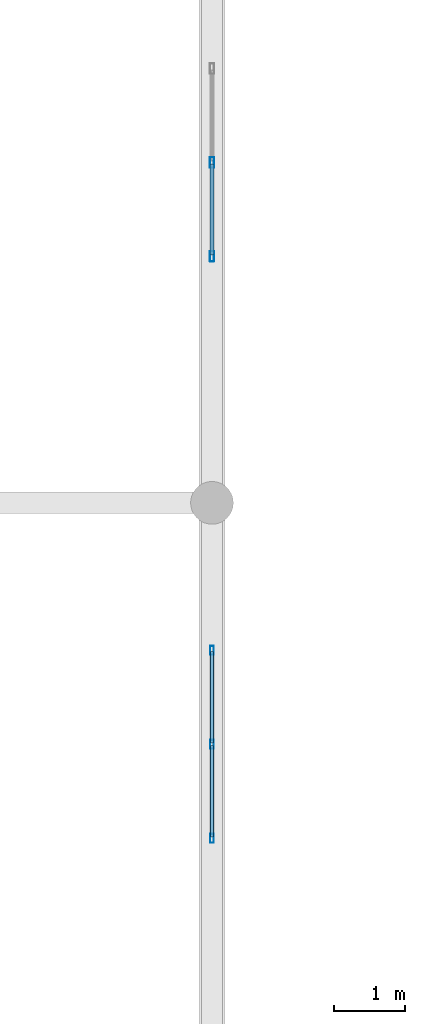
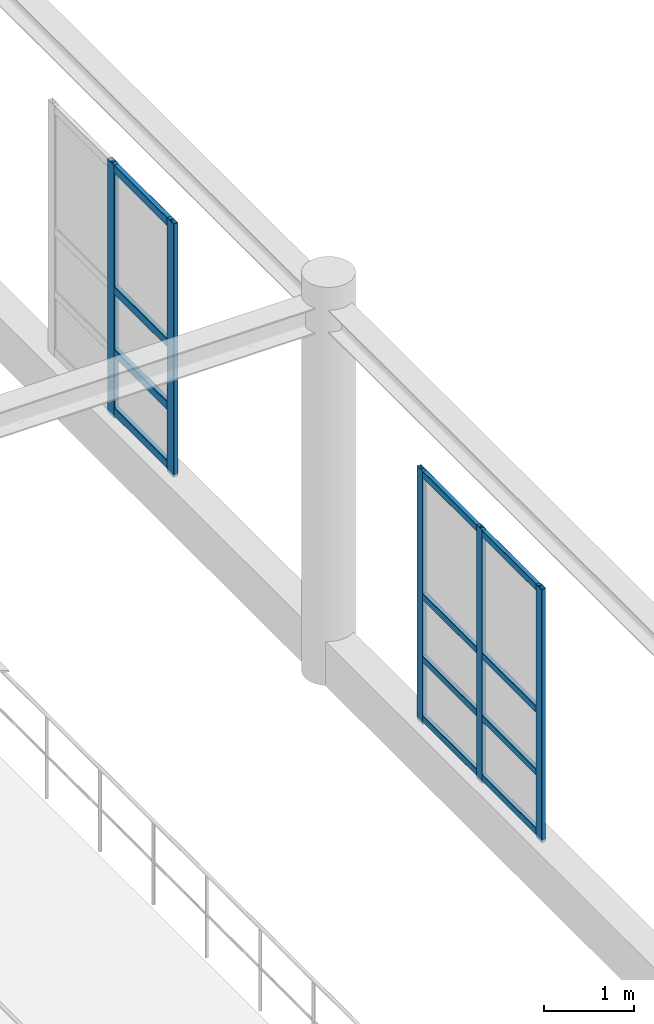
# One storey, part 67 of 197: 17 members, 2 elements without a shape of their own.
"""IFC4 building model written with IfcOpenShell, lengths in metres."""

import ifcopenshell
import ifcopenshell.guid

model = None  # the IFC model being written
_history = None  # IfcOwnerHistory: only IFC2X3 demands one
_inside = {}  # id of a spatial element -> (the spatial element, [elements in it])
_under = {}  # id of a project, library or spatial element -> (it, [spatial elements below it])
_declared = {}  # id of a project -> (the project, [libraries it declares])
_typed = {}  # id of a type object -> (the type object, [elements of that type])
_made_of = {}  # id of a material, layer set ... -> (it, [elements and type objects made of it])


def new_model(schema):
    """Start an empty IFC model of exactly this schema.

    Asked for "IFC4X3", IfcOpenShell would pick the latest addendum, in which some entities
    have other attributes; the version numbers below select the first issue.
    IFC2X3 requires an IfcOwnerHistory on every rooted entity: one is made here for all.
    """
    global model, _history
    if schema == "IFC4X3":
        model = ifcopenshell.file(schema_version=(4, 3, 0, 0))
    else:
        model = ifcopenshell.file(schema=schema)
    _inside.clear()
    _under.clear()
    _declared.clear()
    _typed.clear()
    _made_of.clear()
    _history = None
    if model.schema == "IFC2X3":
        org = make("IfcOrganization", Name="unknown")
        user = make(
            "IfcPersonAndOrganization",
            ThePerson=make("IfcPerson", FamilyName="unknown"),
            TheOrganization=org,
        )
        app = make(
            "IfcApplication",
            ApplicationDeveloper=org,
            Version="unknown",
            ApplicationFullName="unknown",
            ApplicationIdentifier="unknown",
        )
        _history = make(
            "IfcOwnerHistory",
            OwningUser=user,
            OwningApplication=app,
            ChangeAction="ADDED",
            CreationDate=0,
        )
    return model


def make(cls, **values):
    """One entity of the class cls with the attributes given. An attribute that is None is left unset."""
    return model.create_entity(
        cls, **{name: value for name, value in values.items() if value is not None}
    )


def rooted(cls, **values):
    """An entity with a GlobalId (a new one), such as an element, a storey or a relation."""
    return make(cls, GlobalId=ifcopenshell.guid.new(), OwnerHistory=_history, **values)


def si_unit(unit_type, name, prefix=None):
    """IfcSIUnit, for example si_unit("LENGTHUNIT", "METRE", prefix="MILLI")."""
    return make("IfcSIUnit", UnitType=unit_type, Prefix=prefix, Name=name)


def derived_unit(unit_type, elements):
    """IfcDerivedUnit: a product of units, each with its exponent."""
    return make(
        "IfcDerivedUnit",
        Elements=[
            make("IfcDerivedUnitElement", Unit=unit, Exponent=power)
            for unit, power in elements
        ],
        UnitType=unit_type,
    )


def assignment(units):
    """IfcUnitAssignment: the units of a project."""
    return None if units is None else make("IfcUnitAssignment", Units=units)


def point(xyz):
    """IfcCartesianPoint."""
    return None if xyz is None else make("IfcCartesianPoint", Coordinates=xyz)


def direction(xyz):
    """IfcDirection."""
    return None if xyz is None else make("IfcDirection", DirectionRatios=xyz)


def frame(location, z_axis=None, x_axis=None):
    """IfcAxis2Placement3D, a coordinate frame: its origin and axes. An axis left out is left unset."""
    return make(
        "IfcAxis2Placement3D",
        Location=point(location),
        Axis=direction(z_axis),
        RefDirection=direction(x_axis),
    )


def frame_2d(location, x_axis=None):
    """IfcAxis2Placement2D, a coordinate frame in the plane: its origin and x axis."""
    return make(
        "IfcAxis2Placement2D", Location=point(location), RefDirection=direction(x_axis)
    )


def origin():
    """The frame at (0, 0, 0) with its axes left unset."""
    return frame((0.0, 0.0, 0.0))


def origin_2d():
    """The frame at (0, 0) in the plane with its x axis left unset."""
    return frame_2d((0.0, 0.0))


def place(relative_to, where):
    """IfcLocalPlacement: puts the frame where relative to a parent placement (None: the world)."""
    return make(
        "IfcLocalPlacement", PlacementRelTo=relative_to, RelativePlacement=where
    )


def context(
    kind, dimensions, precision=None, world=None, true_north=None, identifier=None
):
    """IfcGeometricRepresentationContext, for example the 3D "Model" context."""
    return make(
        "IfcGeometricRepresentationContext",
        ContextIdentifier=identifier,
        ContextType=kind,
        CoordinateSpaceDimension=dimensions,
        Precision=precision,
        WorldCoordinateSystem=world,
        TrueNorth=true_north,
    )


def subcontext(parent, identifier, kind, view, scale=None):
    """IfcGeometricRepresentationSubContext, for example "Body" below "Model"."""
    return make(
        "IfcGeometricRepresentationSubContext",
        ContextIdentifier=identifier,
        ContextType=kind,
        ParentContext=parent,
        TargetScale=scale,
        TargetView=view,
    )


def project(units=None, contexts=None):
    """IfcProject with its units and contexts."""
    return rooted(
        "IfcProject",
        Name="project",
        RepresentationContexts=contexts,
        UnitsInContext=assignment(units),
    )


def spatial(cls, under=None, at=None, **own):
    """A site, building, storey or space (cls), placed at a placement, below another one or the project."""
    s = rooted(cls, ObjectPlacement=at, **own)
    if under is not None:
        _under.setdefault(under.id(), (under, []))[1].append(s)
    return s


def profile(cls, at=None, kind="AREA", **sizes):
    """A parametric profile (cls). Its sizes go by their IFC names, for example OverallWidth=200.0."""
    return make(cls, ProfileType=kind, Position=at, **sizes)


def hollow_rectangle(**sizes):
    """IfcRectangleHollowProfileDef."""
    return profile("IfcRectangleHollowProfileDef", **sizes)


def extrude(swept, where, along, depth):
    """IfcExtrudedAreaSolid: the profile swept, set in the frame where, extruded along a direction by depth."""
    return make(
        "IfcExtrudedAreaSolid",
        SweptArea=swept,
        Position=where,
        ExtrudedDirection=direction(along),
        Depth=depth,
    )


def shape(context_of_items, identifier, shape_type, items):
    """IfcShapeRepresentation: the items that make up one representation, for example the "Body"."""
    return make(
        "IfcShapeRepresentation",
        ContextOfItems=context_of_items,
        RepresentationIdentifier=identifier,
        RepresentationType=shape_type,
        Items=items,
    )


def material(Name=None, Category=None):
    """IfcMaterial."""
    return make("IfcMaterial", Name=Name, Category=Category)


def layer(
    of_material, thickness, ventilated=None, Name=None, Category=None, Priority=None
):
    """IfcMaterialLayer: one layer of a wall or slab, of a material (None: an air gap)."""
    return make(
        "IfcMaterialLayer",
        Material=of_material,
        LayerThickness=thickness,
        IsVentilated=ventilated,
        Name=Name,
        Category=Category,
        Priority=Priority,
    )


def layer_set(layers, Name=None):
    """IfcMaterialLayerSet."""
    return make("IfcMaterialLayerSet", MaterialLayers=layers, LayerSetName=Name)


def material_profile(
    of_material, cross_section, Name=None, Category=None, Priority=None
):
    """IfcMaterialProfile: a cross section and its material."""
    return make(
        "IfcMaterialProfile",
        Name=Name,
        Material=of_material,
        Profile=cross_section,
        Priority=Priority,
        Category=Category,
    )


def profile_set(profiles, Name=None, composite=None):
    """IfcMaterialProfileSet."""
    return make(
        "IfcMaterialProfileSet",
        Name=Name,
        MaterialProfiles=profiles,
        CompositeProfile=composite,
    )


def made_of(thing, what):
    """Note that an element or type object is made of a material, layer set ...; save() writes the relation."""
    if what is not None:
        _made_of.setdefault(what.id(), (what, []))[1].append(thing)
    return thing


def type_object(cls, material=None, **own):
    """A type object (cls), such as IfcWallType, which elements share."""
    return made_of(rooted(cls, **own), material)


def element(
    cls,
    number,
    at=None,
    inside=None,
    cuts=None,
    type_object=None,
    material=None,
    context=None,
    identifier="Body",
    shape_type=None,
    held_by="IfcProductDefinitionShape",
    body=None,
    shapes=None,
    **own,
):
    """One element of the class cls, such as IfcWall. Its Tag is "e" and its number.

    at: its placement. inside: the storey or other place that contains it. cuts: it is an
    opening in that element (IfcRelVoidsElement). A single representation is given by context,
    identifier, shape_type and body (its items); several are given by shapes. held_by: the class
    of the entity that holds the representations. save() writes the other relations.
    """
    e = rooted(cls, Tag="e%d" % number, ObjectPlacement=at, **own)
    if body is not None:
        shapes = [shape(context, identifier, shape_type, body)]
    if shapes is not None:
        e.Representation = make(held_by, Representations=shapes)
    if inside is not None:
        _inside.setdefault(inside.id(), (inside, []))[1].append(e)
    if cuts is not None:
        rooted(
            "IfcRelVoidsElement", RelatingBuildingElement=cuts, RelatedOpeningElement=e
        )
    if type_object is not None:
        _typed.setdefault(type_object.id(), (type_object, []))[1].append(e)
    return made_of(e, material)


def aggregate(whole, parts):
    """IfcRelAggregates: a whole, such as a stair, and the parts it consists of."""
    return rooted("IfcRelAggregates", RelatingObject=whole, RelatedObjects=parts)


def save(model, path):
    """Write the relations noted so far, then the file.

    IfcRelAggregates (storeys below a building ...), IfcRelContainedInSpatialStructure (elements
    in a storey), IfcRelDefinesByType, IfcRelAssociatesMaterial and IfcRelDeclares: one each for
    every whole, place, type object, material and project.
    """
    for whole, parts in _under.values():
        aggregate(whole, parts)
    for where, things in _inside.values():
        rooted(
            "IfcRelContainedInSpatialStructure",
            RelatedElements=things,
            RelatingStructure=where,
        )
    for kind, things in _typed.values():
        rooted("IfcRelDefinesByType", RelatedObjects=things, RelatingType=kind)
    for what, things in _made_of.values():
        rooted("IfcRelAssociatesMaterial", RelatedObjects=things, RelatingMaterial=what)
    for by, libraries in _declared.values():
        rooted("IfcRelDeclares", RelatingContext=by, RelatedDefinitions=libraries)
    model.write(path)


model = new_model("IFC4")

# Units and contexts
model_context = context("Model", 3, precision=1e-05, world=origin(), true_north=direction((0.0, 1.0)))
body_context = subcontext(model_context, "Body", "Model", "MODEL_VIEW")
ifc_project = project(units=[si_unit("LENGTHUNIT", "METRE"), si_unit("AREAUNIT", "SQUARE_METRE"), si_unit("VOLUMEUNIT", "CUBIC_METRE"), si_unit("PLANEANGLEUNIT", "RADIAN"), si_unit("MASSUNIT", "GRAM", prefix="KILO"), derived_unit("THERMALTRANSMITTANCEUNIT", [(si_unit("POWERUNIT", "WATT"), 1), (si_unit("LENGTHUNIT", "METRE"), -2), (si_unit("THERMODYNAMICTEMPERATUREUNIT", "KELVIN"), -1)])], contexts=[model_context])

# Site, building, storey
site_placement = place(None, origin())
site = spatial("IfcSite", under=ifc_project, at=site_placement, CompositionType="ELEMENT")
building_placement = place(site_placement, origin())
building = spatial("IfcBuilding", under=site, at=building_placement, Name="Almenara Railside Exhibition Hall", CompositionType="ELEMENT")
storey_placement = place(building_placement, frame((0.0, 0.0, 5.39990234375)))
storey = spatial("IfcBuildingStorey", under=building, at=storey_placement, Name="L01", CompositionType="ELEMENT", Elevation=5.39990234375)

# Curtain wall, members
ifc_material_1 = material(Name="Bronze-anodised aluminium and low-E double glazing", Category="aluminium")
ifc_layer = layer(ifc_material_1, 0.179931640625, Name="Bronze-anodised aluminium and low-E double glazing")
ifc_layer_set = layer_set([ifc_layer], Name="Bronze-anodised aluminium and low-E double glazing")
curtain_wall_type = type_object("IfcCurtainWallType", Name="Courtyard South Galeria Curtain Wall 2700x3400", PredefinedType="NOTDEFINED", material=ifc_layer_set)
curtain_wall_1_placement = place(storey_placement, origin())
curtain_wall_1 = element("IfcCurtainWall", 1, at=curtain_wall_1_placement, inside=storey, type_object=curtain_wall_type, Name="Curtain wall CW-CY3-158", PredefinedType="NOTDEFINED")
ifc_material_2 = material(Name="Bronze-anodised aluminium", Category="aluminium")
ifc_material_profile_1 = material_profile(ifc_material_2, hollow_rectangle(XDim=0.054931640625, YDim=0.125, WallThickness=0.0029296875, InnerFilletRadius=0.0029296875, OuterFilletRadius=0.006103515625, at=origin_2d()), Name="ALU-MUL 55x125x3")
ifc_profile_set_1 = profile_set([ifc_material_profile_1], Name="Bronze-anodised aluminium")
member_type_1 = type_object("IfcMemberType", Name="Curtain Wall Mullion 55x125x3", PredefinedType="MULLION", material=ifc_profile_set_1)
member_1_placement = place(storey_placement, frame((84.0, 69.927001953125, 0.565185546875), z_axis=(0.0, 0.0, 1.0), x_axis=(1.0, 0.0, 0.0)))
member_1 = element("IfcMember", 2, at=member_1_placement, type_object=member_type_1, Name="CW-CY3-158 mullion 1", PredefinedType="MULLION", context=body_context, shape_type="SweptSolid", body=[
    extrude(hollow_rectangle(XDim=0.054931640625, YDim=0.125, WallThickness=0.0029296875, InnerFilletRadius=0.0029296875, OuterFilletRadius=0.006103515625, at=origin_2d()), origin(), (0.0, 0.0, 1.0), 3.434814453125),
])
member_2_placement = place(storey_placement, frame((84.0, 68.6044921875, 0.565185546875), z_axis=(0.0, 0.0, 1.0), x_axis=(1.0, 0.0, 0.0)))
member_2 = element("IfcMember", 3, at=member_2_placement, type_object=member_type_1, Name="CW-CY3-158 mullion 2", PredefinedType="MULLION", context=body_context, shape_type="SweptSolid", body=[
    extrude(hollow_rectangle(XDim=0.054931640625, YDim=0.125, WallThickness=0.0029296875, InnerFilletRadius=0.0029296875, OuterFilletRadius=0.006103515625, at=origin_2d()), origin(), (0.0, 0.0, 1.0), 3.434814453125),
])
member_3_placement = place(storey_placement, frame((84.0, 67.281982421875, 0.565185546875), z_axis=(0.0, 0.0, 1.0), x_axis=(1.0, 0.0, 0.0)))
member_3 = element("IfcMember", 4, at=member_3_placement, type_object=member_type_1, Name="CW-CY3-158 mullion 3", PredefinedType="MULLION", context=body_context, shape_type="SweptSolid", body=[
    extrude(hollow_rectangle(XDim=0.054931640625, YDim=0.125, WallThickness=0.0029296875, InnerFilletRadius=0.0029296875, OuterFilletRadius=0.006103515625, at=origin_2d()), origin(), (0.0, 0.0, 1.0), 3.434814453125),
])

curtain_wall_2_placement = place(storey_placement, origin())
curtain_wall_2 = element("IfcCurtainWall", 5, at=curtain_wall_2_placement, inside=storey, type_object=curtain_wall_type, Name="Curtain wall CW-CY3-157", PredefinedType="NOTDEFINED")
ifc_material_profile_2 = material_profile(ifc_material_2, hollow_rectangle(XDim=0.06005859375, YDim=0.14990234375, WallThickness=0.00341796875, InnerFilletRadius=0.00341796875, OuterFilletRadius=0.007080078125, at=origin_2d()), Name="ALU-MUL 60x150x3.5")
ifc_profile_set_2 = profile_set([ifc_material_profile_2], Name="Bronze-anodised aluminium")
member_type_2 = type_object("IfcMemberType", Name="Curtain Wall Mullion 60x150x3.5", PredefinedType="MULLION", material=ifc_profile_set_2)
member_4_placement = place(storey_placement, frame((84.0, 76.786376953125, 0.565185546875), z_axis=(0.0, 0.0, 1.0), x_axis=(1.0, 0.0, 0.0)))
member_4 = element("IfcMember", 6, at=member_4_placement, type_object=member_type_2, Name="CW-CY3-157 mullion 2", PredefinedType="MULLION", context=body_context, shape_type="SweptSolid", body=[
    extrude(hollow_rectangle(XDim=0.06005859375, YDim=0.14990234375, WallThickness=0.00341796875, InnerFilletRadius=0.00341796875, OuterFilletRadius=0.007080078125, at=origin_2d()), origin(), (0.0, 0.0, 1.0), 3.434814453125),
])
member_5_placement = place(storey_placement, frame((84.0, 75.46630859375, 0.565185546875), z_axis=(0.0, 0.0, 1.0), x_axis=(1.0, 0.0, 0.0)))
member_5 = element("IfcMember", 7, at=member_5_placement, type_object=member_type_2, Name="CW-CY3-157 mullion 3", PredefinedType="MULLION", context=body_context, shape_type="SweptSolid", body=[
    extrude(hollow_rectangle(XDim=0.06005859375, YDim=0.14990234375, WallThickness=0.00341796875, InnerFilletRadius=0.00341796875, OuterFilletRadius=0.007080078125, at=origin_2d()), origin(), (0.0, 0.0, 1.0), 3.434814453125),
])

# Member
ifc_material_profile_3 = material_profile(ifc_material_2, hollow_rectangle(XDim=0.054931640625, YDim=0.090087890625, WallThickness=0.0029296875, InnerFilletRadius=0.0029296875, OuterFilletRadius=0.006103515625, at=origin_2d()), Name="ALU-TRN 55x90x3")
ifc_profile_set_3 = profile_set([ifc_material_profile_3], Name="Bronze-anodised aluminium")
member_type_3 = type_object("IfcMemberType", Name="Curtain Wall Transom 55x90x3", PredefinedType="USERDEFINED", material=ifc_profile_set_3)
member_6_placement = place(storey_placement, frame((84.0, 69.907470703125, 0.64501953125), z_axis=(0.0, -1.0, 0.0), x_axis=(1.0, 0.0, 0.0)))
member_6 = element("IfcMember", 8, at=member_6_placement, type_object=member_type_3, Name="CW-CY3-158 transom 1.1", ObjectType="TRANSOM", PredefinedType="USERDEFINED", context=body_context, shape_type="SweptSolid", body=[
    extrude(hollow_rectangle(XDim=0.054931640625, YDim=0.090087890625, WallThickness=0.0029296875, InnerFilletRadius=0.0029296875, OuterFilletRadius=0.006103515625, at=origin_2d()), origin(), (0.0, 0.0, 1.0), 1.283447265625),
])

member_7_placement = place(storey_placement, frame((84.0, 69.907470703125, 1.4501953125), z_axis=(0.0, -1.0, 0.0), x_axis=(1.0, 0.0, 0.0)))
member_7 = element("IfcMember", 9, at=member_7_placement, type_object=member_type_3, Name="CW-CY3-158 transom 1.2", ObjectType="TRANSOM", PredefinedType="USERDEFINED", context=body_context, shape_type="SweptSolid", body=[
    extrude(hollow_rectangle(XDim=0.054931640625, YDim=0.090087890625, WallThickness=0.0029296875, InnerFilletRadius=0.0029296875, OuterFilletRadius=0.006103515625, at=origin_2d()), origin(), (0.0, 0.0, 1.0), 1.283447265625),
])

member_8_placement = place(storey_placement, frame((84.0, 69.907470703125, 2.300048828125), z_axis=(0.0, -1.0, 0.0), x_axis=(1.0, 0.0, 0.0)))
member_8 = element("IfcMember", 10, at=member_8_placement, type_object=member_type_3, Name="CW-CY3-158 transom 1.3", ObjectType="TRANSOM", PredefinedType="USERDEFINED", context=body_context, shape_type="SweptSolid", body=[
    extrude(hollow_rectangle(XDim=0.054931640625, YDim=0.090087890625, WallThickness=0.0029296875, InnerFilletRadius=0.0029296875, OuterFilletRadius=0.006103515625, at=origin_2d()), origin(), (0.0, 0.0, 1.0), 1.283447265625),
])

member_9_placement = place(storey_placement, frame((84.0, 69.907470703125, 3.955078125), z_axis=(0.0, -1.0, 0.0), x_axis=(1.0, 0.0, 0.0)))
member_9 = element("IfcMember", 11, at=member_9_placement, type_object=member_type_3, Name="CW-CY3-158 transom 1.4", ObjectType="TRANSOM", PredefinedType="USERDEFINED", context=body_context, shape_type="SweptSolid", body=[
    extrude(hollow_rectangle(XDim=0.054931640625, YDim=0.090087890625, WallThickness=0.0029296875, InnerFilletRadius=0.0029296875, OuterFilletRadius=0.006103515625, at=origin_2d()), origin(), (0.0, 0.0, 1.0), 1.283447265625),
])

member_10_placement = place(storey_placement, frame((84.0, 68.5849609375, 0.64501953125), z_axis=(0.0, -1.0, 0.0), x_axis=(1.0, 0.0, 0.0)))
member_10 = element("IfcMember", 12, at=member_10_placement, type_object=member_type_3, Name="CW-CY3-158 transom 2.1", ObjectType="TRANSOM", PredefinedType="USERDEFINED", context=body_context, shape_type="SweptSolid", body=[
    extrude(hollow_rectangle(XDim=0.054931640625, YDim=0.090087890625, WallThickness=0.0029296875, InnerFilletRadius=0.0029296875, OuterFilletRadius=0.006103515625, at=origin_2d()), origin(), (0.0, 0.0, 1.0), 1.283447265625),
])

member_11_placement = place(storey_placement, frame((84.0, 68.5849609375, 1.4501953125), z_axis=(0.0, -1.0, 0.0), x_axis=(1.0, 0.0, 0.0)))
member_11 = element("IfcMember", 13, at=member_11_placement, type_object=member_type_3, Name="CW-CY3-158 transom 2.2", ObjectType="TRANSOM", PredefinedType="USERDEFINED", context=body_context, shape_type="SweptSolid", body=[
    extrude(hollow_rectangle(XDim=0.054931640625, YDim=0.090087890625, WallThickness=0.0029296875, InnerFilletRadius=0.0029296875, OuterFilletRadius=0.006103515625, at=origin_2d()), origin(), (0.0, 0.0, 1.0), 1.283447265625),
])

member_12_placement = place(storey_placement, frame((84.0, 68.5849609375, 2.300048828125), z_axis=(0.0, -1.0, 0.0), x_axis=(1.0, 0.0, 0.0)))
member_12 = element("IfcMember", 14, at=member_12_placement, type_object=member_type_3, Name="CW-CY3-158 transom 2.3", ObjectType="TRANSOM", PredefinedType="USERDEFINED", context=body_context, shape_type="SweptSolid", body=[
    extrude(hollow_rectangle(XDim=0.054931640625, YDim=0.090087890625, WallThickness=0.0029296875, InnerFilletRadius=0.0029296875, OuterFilletRadius=0.006103515625, at=origin_2d()), origin(), (0.0, 0.0, 1.0), 1.283447265625),
])

member_13_placement = place(storey_placement, frame((84.0, 68.5849609375, 3.955078125), z_axis=(0.0, -1.0, 0.0), x_axis=(1.0, 0.0, 0.0)))
member_13 = element("IfcMember", 15, at=member_13_placement, type_object=member_type_3, Name="CW-CY3-158 transom 2.4", ObjectType="TRANSOM", PredefinedType="USERDEFINED", context=body_context, shape_type="SweptSolid", body=[
    extrude(hollow_rectangle(XDim=0.054931640625, YDim=0.090087890625, WallThickness=0.0029296875, InnerFilletRadius=0.0029296875, OuterFilletRadius=0.006103515625, at=origin_2d()), origin(), (0.0, 0.0, 1.0), 1.283447265625),
])

aggregate(curtain_wall_1, [member_1, member_2, member_3, member_6, member_7, member_8, member_9, member_10, member_11, member_12, member_13])

ifc_material_profile_4 = material_profile(ifc_material_2, hollow_rectangle(XDim=0.06005859375, YDim=0.110107421875, WallThickness=0.0029296875, InnerFilletRadius=0.0029296875, OuterFilletRadius=0.006103515625, at=origin_2d()), Name="ALU-TRN 60x110x3")
ifc_profile_set_4 = profile_set([ifc_material_profile_4], Name="Bronze-anodised aluminium")
member_type_4 = type_object("IfcMemberType", Name="Curtain Wall Transom 60x110x3", PredefinedType="USERDEFINED", material=ifc_profile_set_4)
member_14_placement = place(storey_placement, frame((84.0, 76.764404296875, 0.655029296875), z_axis=(0.0, -1.0, 0.0), x_axis=(1.0, 0.0, 0.0)))
member_14 = element("IfcMember", 16, at=member_14_placement, type_object=member_type_4, Name="CW-CY3-157 transom 2.1", ObjectType="TRANSOM", PredefinedType="USERDEFINED", context=body_context, shape_type="SweptSolid", body=[
    extrude(hollow_rectangle(XDim=0.06005859375, YDim=0.110107421875, WallThickness=0.0029296875, InnerFilletRadius=0.0029296875, OuterFilletRadius=0.006103515625, at=origin_2d()), origin(), (0.0, 0.0, 1.0), 1.276123046875),
])

member_15_placement = place(storey_placement, frame((84.0, 76.764404296875, 1.4501953125), z_axis=(0.0, -1.0, 0.0), x_axis=(1.0, 0.0, 0.0)))
member_15 = element("IfcMember", 17, at=member_15_placement, type_object=member_type_4, Name="CW-CY3-157 transom 2.2", ObjectType="TRANSOM", PredefinedType="USERDEFINED", context=body_context, shape_type="SweptSolid", body=[
    extrude(hollow_rectangle(XDim=0.06005859375, YDim=0.110107421875, WallThickness=0.0029296875, InnerFilletRadius=0.0029296875, OuterFilletRadius=0.006103515625, at=origin_2d()), origin(), (0.0, 0.0, 1.0), 1.276123046875),
])

member_16_placement = place(storey_placement, frame((84.0, 76.764404296875, 2.300048828125), z_axis=(0.0, -1.0, 0.0), x_axis=(1.0, 0.0, 0.0)))
member_16 = element("IfcMember", 18, at=member_16_placement, type_object=member_type_4, Name="CW-CY3-157 transom 2.3", ObjectType="TRANSOM", PredefinedType="USERDEFINED", context=body_context, shape_type="SweptSolid", body=[
    extrude(hollow_rectangle(XDim=0.06005859375, YDim=0.110107421875, WallThickness=0.0029296875, InnerFilletRadius=0.0029296875, OuterFilletRadius=0.006103515625, at=origin_2d()), origin(), (0.0, 0.0, 1.0), 1.276123046875),
])

member_17_placement = place(storey_placement, frame((84.0, 76.764404296875, 3.945068359375), z_axis=(0.0, -1.0, 0.0), x_axis=(1.0, 0.0, 0.0)))
member_17 = element("IfcMember", 19, at=member_17_placement, type_object=member_type_4, Name="CW-CY3-157 transom 2.4", ObjectType="TRANSOM", PredefinedType="USERDEFINED", context=body_context, shape_type="SweptSolid", body=[
    extrude(hollow_rectangle(XDim=0.06005859375, YDim=0.110107421875, WallThickness=0.0029296875, InnerFilletRadius=0.0029296875, OuterFilletRadius=0.006103515625, at=origin_2d()), origin(), (0.0, 0.0, 1.0), 1.276123046875),
])

aggregate(curtain_wall_2, [member_4, member_5, member_14, member_15, member_16, member_17])

save(model, "model.ifc")
